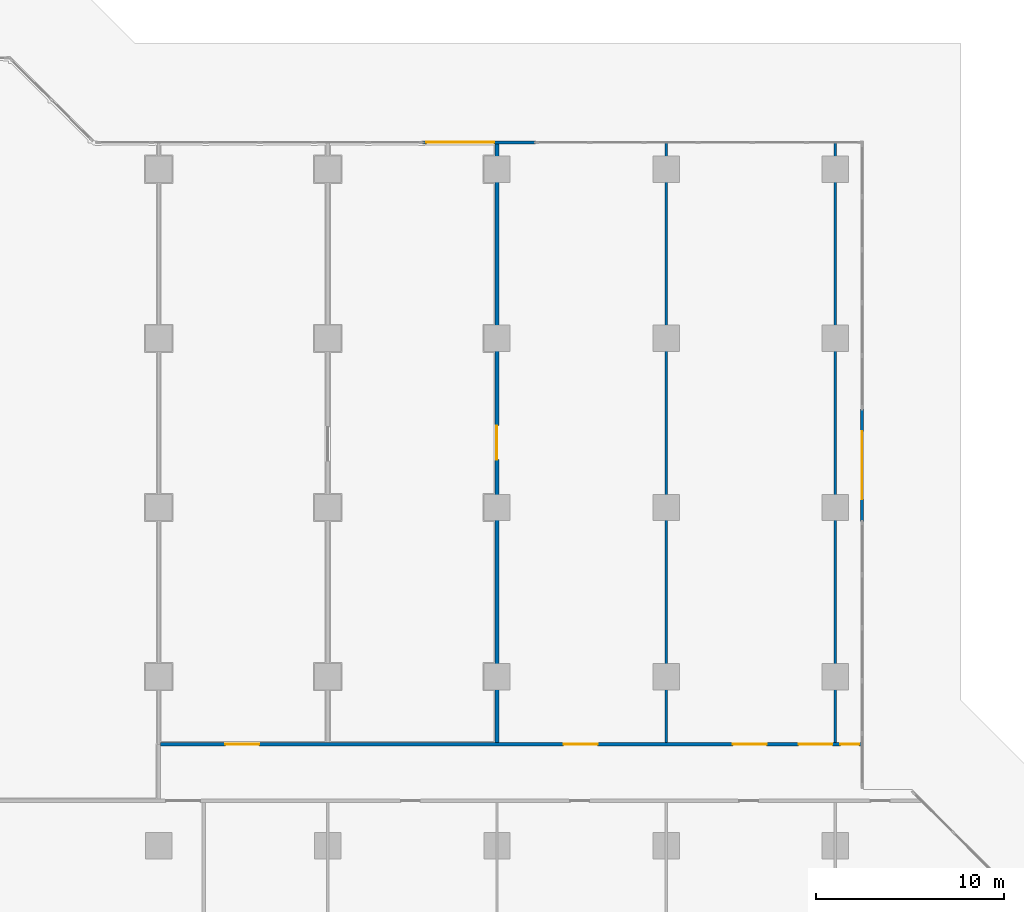
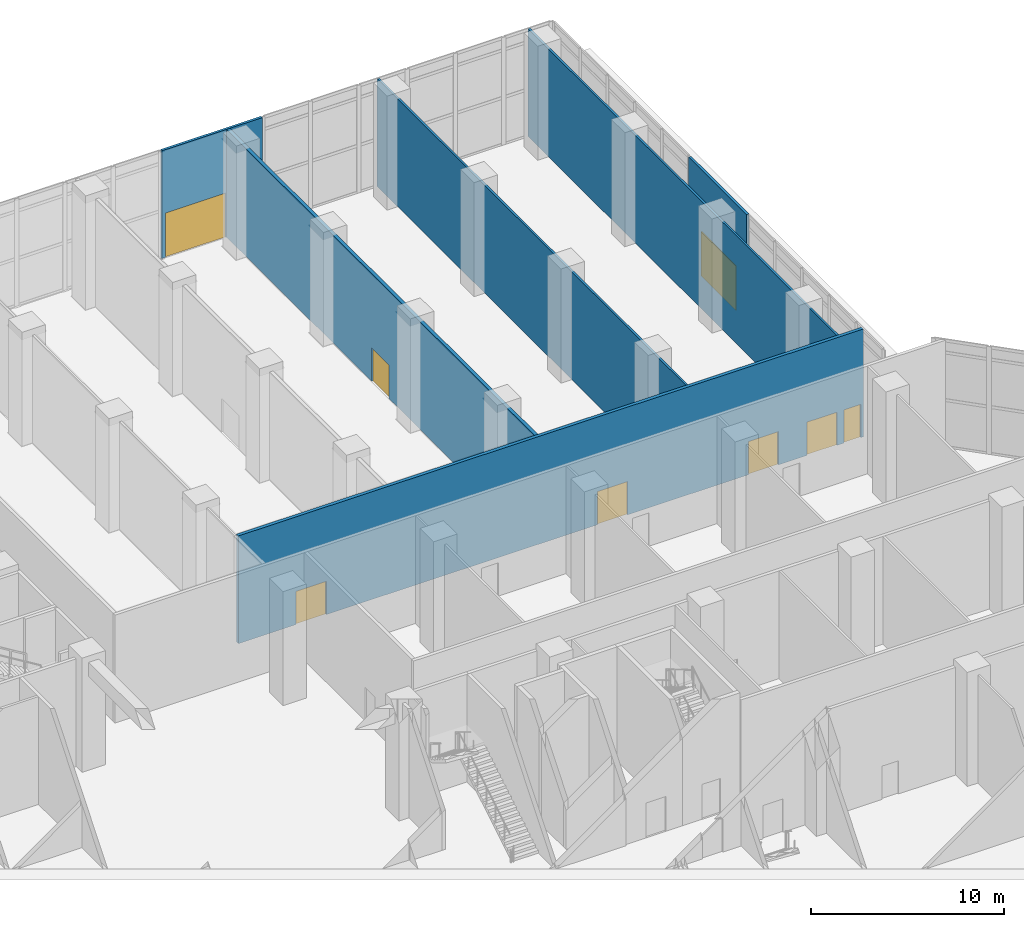
# One storey, part 26 of 34: 8 doors, 6 walls, 8 openings.
"""IFC4 building model written with IfcOpenShell, lengths in metres."""

from ifc_helpers import new_model, si_unit, direction, frame, frame_2d, origin, place, context, subcontext, project, spatial, rectangle, extrude, material, layer, layer_set, type_object, element, fill, save


model = new_model("IFC4")

# Units and contexts
model_context = context("Model", 3, precision=1e-05, world=origin(), true_north=direction((0.0, 1.0)))
body_context = subcontext(model_context, "Body", "Model", "MODEL_VIEW")
ifc_project = project(units=[si_unit("LENGTHUNIT", "METRE"), si_unit("AREAUNIT", "SQUARE_METRE"), si_unit("VOLUMEUNIT", "CUBIC_METRE"), si_unit("PLANEANGLEUNIT", "RADIAN"), si_unit("MASSUNIT", "GRAM", prefix="KILO")], contexts=[model_context])

# Site, building, storey
site_placement = place(None, origin())
site = spatial("IfcSite", under=ifc_project, at=site_placement, CompositionType="ELEMENT")
building_placement = place(site_placement, origin())
building = spatial("IfcBuilding", under=site, at=building_placement, Name="Chenar Terraces", CompositionType="ELEMENT")
storey_placement = place(building_placement, origin())
storey = spatial("IfcBuildingStorey", under=building, at=storey_placement, Name="L00", CompositionType="ELEMENT", Elevation=0.0)

# Walls
ifc_material_1 = material(Name="Gypsum board on steel studs with mineral wool", Category="steel")
ifc_layer_1 = layer(ifc_material_1, 0.125)
ifc_layer_set_1 = layer_set([ifc_layer_1], Name="Gypsum board on steel studs with mineral wool")
wall_type_1 = type_object("IfcWallType", Name="Acoustic partition 125", PredefinedType="PARTITIONING", material=ifc_layer_set_1)
for number, where, z_axis, x_axis, name in (
    (1, (63.0, 41.5, 0.0), (0.0, 0.0, 1.0), (0.0, 1.0, 0.0), "Partition L00-126"),
    (2, (72.0, 41.5, 0.0), (0.0, 0.0, 1.0), (0.0, 1.0, 0.0), "Partition L00-131"),
):
    element("IfcWall", number, at=place(storey_placement, frame(where, z_axis=z_axis, x_axis=x_axis)), inside=storey, type_object=wall_type_1, Name=name, PredefinedType="PARTITIONING", context=body_context, shape_type="SweptSolid", body=[
        extrude(rectangle(XDim=31.925048828125, YDim=0.125, at=frame_2d((15.96240234375, 0.0))), origin(), (0.0, 0.0, 1.0), 6.800048828125),
    ])

# Wall, openings, doors
ifc_material_2 = material(Name="Gypsum board on steel studs with fire boards", Category="steel")
ifc_layer_2 = layer(ifc_material_2, 0.199951171875)
ifc_layer_set_2 = layer_set([ifc_layer_2], Name="Gypsum board on steel studs with fire boards")
wall_type_2 = type_object("IfcWallType", Name="Corridor wall 200", PredefinedType="PARTITIONING", material=ifc_layer_set_2)
wall_1_placement = place(storey_placement, frame((36.10009765625, 41.39990234375, 0.0), z_axis=(0.0, 0.0, 1.0), x_axis=(1.0, 0.0, 0.0)))
wall_1 = element("IfcWall", 3, at=wall_1_placement, inside=storey, type_object=wall_type_2, Name="Partition L00-093", PredefinedType="PARTITIONING", context=body_context, shape_type="SweptSolid", body=[
    extrude(rectangle(XDim=37.324951171875, YDim=0.199951171875, at=frame_2d((18.66259765625, 0.0))), origin(), (0.0, 0.0, 1.0), 6.800048828125),
])
opening_1_placement = place(wall_1_placement, frame((3.449951171875, 0.0, 0.0)))
opening_1 = element("IfcOpeningElement", 4, at=opening_1_placement, cuts=wall_1, Name="Opening DL00-17", PredefinedType="OPENING", context=body_context, shape_type="SweptSolid", body=[
    extrude(rectangle(XDim=1.800048828125, YDim=2.10009765625, at=frame_2d((0.89990234375, 1.050048828125))), frame((0.0, 0.10986328125, 0.0), z_axis=(0.0, -1.0, 0.0), x_axis=(1.0, 0.0, 0.0)), (0.0, 0.0, 1.0), 0.219970703125),
])
opening_2_placement = place(wall_1_placement, frame((21.449951171875, 0.0, 0.0)))
opening_2 = element("IfcOpeningElement", 5, at=opening_2_placement, cuts=wall_1, Name="Opening DL00-19", PredefinedType="OPENING", context=body_context, shape_type="SweptSolid", body=[
    extrude(rectangle(XDim=1.800048828125, YDim=2.10009765625, at=frame_2d((0.89990234375, 1.050048828125))), frame((0.0, 0.10986328125, 0.0), z_axis=(0.0, -1.0, 0.0), x_axis=(1.0, 0.0, 0.0)), (0.0, 0.0, 1.0), 0.219970703125),
])
opening_3_placement = place(wall_1_placement, frame((30.449951171875, 0.0, 0.0)))
opening_3 = element("IfcOpeningElement", 6, at=opening_3_placement, cuts=wall_1, Name="Opening DL00-20", PredefinedType="OPENING", context=body_context, shape_type="SweptSolid", body=[
    extrude(rectangle(XDim=1.800048828125, YDim=2.10009765625, at=frame_2d((0.89990234375, 1.050048828125))), frame((0.0, 0.10986328125, 0.0), z_axis=(0.0, -1.0, 0.0), x_axis=(1.0, 0.0, 0.0)), (0.0, 0.0, 1.0), 0.219970703125),
])
opening_4_placement = place(wall_1_placement, frame((33.949951171875, 0.0, 0.0)))
opening_4 = element("IfcOpeningElement", 7, at=opening_4_placement, cuts=wall_1, Name="Opening DL00-21", PredefinedType="OPENING", context=body_context, shape_type="SweptSolid", body=[
    extrude(rectangle(XDim=1.800048828125, YDim=2.10009765625, at=frame_2d((0.89990234375, 1.050048828125))), frame((0.0, 0.10986328125, 0.0), z_axis=(0.0, -1.0, 0.0), x_axis=(1.0, 0.0, 0.0)), (0.0, 0.0, 1.0), 0.219970703125),
])
opening_5_placement = place(wall_1_placement, frame((36.175048828125, 0.0, 0.0)))
opening_5 = element("IfcOpeningElement", 8, at=opening_5_placement, cuts=wall_1, Name="Opening DL00-22", PredefinedType="OPENING", context=body_context, shape_type="SweptSolid", body=[
    extrude(rectangle(XDim=1.0, YDim=2.10009765625, at=frame_2d((0.5, 1.050048828125))), frame((0.0, 0.10986328125, 0.0), z_axis=(0.0, -1.0, 0.0), x_axis=(1.0, 0.0, 0.0)), (0.0, 0.0, 1.0), 0.219970703125),
])
ifc_material_3 = material(Name="Steel-framed fire-resisting door leaf", Category="steel")
door_type_1 = type_object("IfcDoorType", Name="Fire door FD60 1000 x 2100", OperationType="SINGLE_SWING_LEFT", PredefinedType="DOOR", material=ifc_material_3)
door_1_placement = place(opening_5_placement, origin())
door_1 = element("IfcDoor", 9, at=door_1_placement, inside=storey, type_object=door_type_1, Name="Door DL00-22", OperationType="SINGLE_SWING_LEFT", OverallHeight=2.10009765625, OverallWidth=1.0, PredefinedType="DOOR", context=body_context, shape_type="SweptSolid", body=[
    extrude(rectangle(XDim=1.0, YDim=2.10009765625, at=frame_2d((0.5, 1.050048828125))), frame((0.0, 0.02490234375, 0.0), z_axis=(0.0, -1.0, 0.0), x_axis=(1.0, 0.0, 0.0)), (0.0, 0.0, 1.0), 0.050048828125),
])
fill(opening_5, door_1)
ifc_material_4 = material(Name="Steel-framed fire-resisting door leaf", Category="steel")
door_type_2 = type_object("IfcDoorType", Name="Fire double door FD60 1800 x 2100", OperationType="DOUBLE_DOOR_SINGLE_SWING", PredefinedType="DOOR", material=ifc_material_4)
door_2_placement = place(opening_1_placement, origin())
door_2 = element("IfcDoor", 10, at=door_2_placement, inside=storey, type_object=door_type_2, Name="Door DL00-17", OperationType="DOUBLE_DOOR_SINGLE_SWING", OverallHeight=2.10009765625, OverallWidth=1.800048828125, PredefinedType="DOOR", context=body_context, shape_type="SweptSolid", body=[
    extrude(rectangle(XDim=1.800048828125, YDim=2.10009765625, at=frame_2d((0.89990234375, 1.050048828125))), frame((0.0, 0.02490234375, 0.0), z_axis=(0.0, -1.0, 0.0), x_axis=(1.0, 0.0, 0.0)), (0.0, 0.0, 1.0), 0.050048828125),
])
fill(opening_1, door_2)
door_3_placement = place(opening_2_placement, origin())
door_3 = element("IfcDoor", 11, at=door_3_placement, inside=storey, type_object=door_type_2, Name="Door DL00-19", OperationType="DOUBLE_DOOR_SINGLE_SWING", OverallHeight=2.10009765625, OverallWidth=1.800048828125, PredefinedType="DOOR", context=body_context, shape_type="SweptSolid", body=[
    extrude(rectangle(XDim=1.800048828125, YDim=2.10009765625, at=frame_2d((0.89990234375, 1.050048828125))), frame((0.0, 0.02490234375, 0.0), z_axis=(0.0, -1.0, 0.0), x_axis=(1.0, 0.0, 0.0)), (0.0, 0.0, 1.0), 0.050048828125),
])
fill(opening_2, door_3)
door_4_placement = place(opening_3_placement, origin())
door_4 = element("IfcDoor", 12, at=door_4_placement, inside=storey, type_object=door_type_2, Name="Door DL00-20", OperationType="DOUBLE_DOOR_SINGLE_SWING", OverallHeight=2.10009765625, OverallWidth=1.800048828125, PredefinedType="DOOR", context=body_context, shape_type="SweptSolid", body=[
    extrude(rectangle(XDim=1.800048828125, YDim=2.10009765625, at=frame_2d((0.89990234375, 1.050048828125))), frame((0.0, 0.02490234375, 0.0), z_axis=(0.0, -1.0, 0.0), x_axis=(1.0, 0.0, 0.0)), (0.0, 0.0, 1.0), 0.050048828125),
])
fill(opening_3, door_4)
door_5_placement = place(opening_4_placement, origin())
door_5 = element("IfcDoor", 13, at=door_5_placement, inside=storey, type_object=door_type_2, Name="Door DL00-21", OperationType="DOUBLE_DOOR_SINGLE_SWING", OverallHeight=2.10009765625, OverallWidth=1.800048828125, PredefinedType="DOOR", context=body_context, shape_type="SweptSolid", body=[
    extrude(rectangle(XDim=1.800048828125, YDim=2.10009765625, at=frame_2d((0.89990234375, 1.050048828125))), frame((0.0, 0.02490234375, 0.0), z_axis=(0.0, -1.0, 0.0), x_axis=(1.0, 0.0, 0.0)), (0.0, 0.0, 1.0), 0.050048828125),
])
fill(opening_4, door_5)

# Wall, opening, door
wall_2_placement = place(storey_placement, frame((54.0, 41.5, 0.0), z_axis=(0.0, 0.0, 1.0), x_axis=(0.0, 1.0, 0.0)))
wall_2 = element("IfcWall", 14, at=wall_2_placement, inside=storey, type_object=wall_type_2, Name="Partition L00-119", PredefinedType="PARTITIONING", context=body_context, shape_type="SweptSolid", body=[
    extrude(rectangle(XDim=31.85107421875, YDim=0.199951171875, at=frame_2d((15.925537109375, 0.0))), origin(), (0.0, 0.0, 1.0), 6.800048828125),
])
opening_6_placement = place(wall_2_placement, frame((15.050048828125, 0.0, 0.0)))
opening_6 = element("IfcOpeningElement", 15, at=opening_6_placement, cuts=wall_2, Name="Opening DL00-18", PredefinedType="OPENING", context=body_context, shape_type="SweptSolid", body=[
    extrude(rectangle(XDim=1.800048828125, YDim=2.10009765625, at=frame_2d((0.89990234375, 1.050048828125))), frame((0.0, 0.10986328125, 0.0), z_axis=(0.0, -1.0, 0.0), x_axis=(1.0, 0.0, 0.0)), (0.0, 0.0, 1.0), 0.219970703125),
])
door_6_placement = place(opening_6_placement, frame((1.800048828125, 0.0, 0.0), z_axis=(0.0, 0.0, 1.0), x_axis=(-1.0, 0.0, 0.0)))
door_6 = element("IfcDoor", 16, at=door_6_placement, inside=storey, type_object=door_type_2, Name="Door DL00-18", OperationType="DOUBLE_DOOR_SINGLE_SWING", OverallHeight=2.10009765625, OverallWidth=1.800048828125, PredefinedType="DOOR", context=body_context, shape_type="SweptSolid", body=[
    extrude(rectangle(XDim=1.800048828125, YDim=2.10009765625, at=frame_2d((0.89990234375, 1.050048828125))), frame((0.0, 0.02490234375, 0.0), z_axis=(0.0, -1.0, 0.0), x_axis=(1.0, 0.0, 0.0)), (0.0, 0.0, 1.0), 0.050048828125),
])
fill(opening_6, door_6)

ifc_material_5 = material(Name="Terracotta cladding on insulated backing", Category="masonry")
ifc_layer_3 = layer(ifc_material_5, 0.14990234375)
ifc_layer_set_3 = layer_set([ifc_layer_3], Name="Terracotta cladding on insulated backing")
wall_type_3 = type_object("IfcWallType", Name="Entrance wall 150", PredefinedType="SOLIDWALL", material=ifc_layer_set_3)
wall_3_placement = place(storey_placement, frame((73.425048828125, 53.25, 0.0), z_axis=(0.0, 0.0, 1.0), x_axis=(0.0, 1.0, 0.0)))
wall_3 = element("IfcWall", 17, at=wall_3_placement, inside=storey, type_object=wall_type_3, Name="Entrance wall", PredefinedType="SOLIDWALL", context=body_context, shape_type="SweptSolid", body=[
    extrude(rectangle(XDim=6.0, YDim=0.14990234375, at=frame_2d((3.0, 0.0))), origin(), (0.0, 0.0, 1.0), 6.800048828125),
])
opening_7_placement = place(wall_3_placement, frame((1.199951171875, 0.0, 0.0)))
opening_7 = element("IfcOpeningElement", 18, at=opening_7_placement, cuts=wall_3, Name="Opening DL00-E10", PredefinedType="OPENING", context=body_context, shape_type="SweptSolid", body=[
    extrude(rectangle(XDim=3.60009765625, YDim=2.800048828125, at=frame_2d((1.800048828125, 1.39990234375))), frame((0.0, 0.0849609375, 0.0), z_axis=(0.0, -1.0, 0.0), x_axis=(1.0, 0.0, 0.0)), (0.0, 0.0, 1.0), 0.169921875),
])
ifc_material_6 = material(Name="Low emissivity double glazing, aluminium frame", Category="aluminium")
door_type_3 = type_object("IfcDoorType", Name="Entrance door set 3600 x 2800", OperationType="DOUBLE_DOOR_SINGLE_SWING", PredefinedType="DOOR", material=ifc_material_6)
door_7_placement = place(opening_7_placement, frame((3.60009765625, 0.0, 0.0), z_axis=(0.0, 0.0, 1.0), x_axis=(-1.0, 0.0, 0.0)))
door_7 = element("IfcDoor", 19, at=door_7_placement, inside=storey, type_object=door_type_3, Name="Entrance door", OperationType="DOUBLE_DOOR_SINGLE_SWING", OverallHeight=2.800048828125, OverallWidth=3.60009765625, PredefinedType="DOOR", context=body_context, shape_type="SweptSolid", body=[
    extrude(rectangle(XDim=3.60009765625, YDim=2.800048828125, at=frame_2d((1.800048828125, 1.39990234375))), frame((0.0, 0.02490234375, 0.0), z_axis=(0.0, -1.0, 0.0), x_axis=(1.0, 0.0, 0.0)), (0.0, 0.0, 1.0), 0.050048828125),
])
fill(opening_7, door_7)

wall_4_placement = place(storey_placement, frame((56.0458984375, 73.425048828125, 0.0), z_axis=(0.0, 0.0, 1.0), x_axis=(-1.0, 0.0, 0.0)))
wall_4 = element("IfcWall", 20, at=wall_4_placement, inside=storey, type_object=wall_type_3, Name="Entrance wall", PredefinedType="SOLIDWALL", context=body_context, shape_type="SweptSolid", body=[
    extrude(rectangle(XDim=6.0, YDim=0.14990234375, at=frame_2d((3.0, 0.0))), origin(), (0.0, 0.0, 1.0), 6.800048828125),
])
opening_8_placement = place(wall_4_placement, frame((2.196044921875, 0.0, 0.0)))
opening_8 = element("IfcOpeningElement", 21, at=opening_8_placement, cuts=wall_4, Name="Opening DL00-E11", PredefinedType="OPENING", context=body_context, shape_type="SweptSolid", body=[
    extrude(rectangle(XDim=3.60009765625, YDim=2.800048828125, at=frame_2d((1.800048828125, 1.39990234375))), frame((0.0, 0.0849609375, 0.0), z_axis=(0.0, -1.0, 0.0), x_axis=(1.0, 0.0, 0.0)), (0.0, 0.0, 1.0), 0.169921875),
])
door_8_placement = place(opening_8_placement, frame((3.60009765625, 0.0, 0.0), z_axis=(0.0, 0.0, 1.0), x_axis=(-1.0, 0.0, 0.0)))
door_8 = element("IfcDoor", 22, at=door_8_placement, inside=storey, type_object=door_type_3, Name="Entrance door", OperationType="DOUBLE_DOOR_SINGLE_SWING", OverallHeight=2.800048828125, OverallWidth=3.60009765625, PredefinedType="DOOR", context=body_context, shape_type="SweptSolid", body=[
    extrude(rectangle(XDim=3.60009765625, YDim=2.800048828125, at=frame_2d((1.800048828125, 1.39990234375))), frame((0.0, 0.02490234375, 0.0), z_axis=(0.0, -1.0, 0.0), x_axis=(1.0, 0.0, 0.0)), (0.0, 0.0, 1.0), 0.050048828125),
])
fill(opening_8, door_8)

save(model, "model.ifc")
